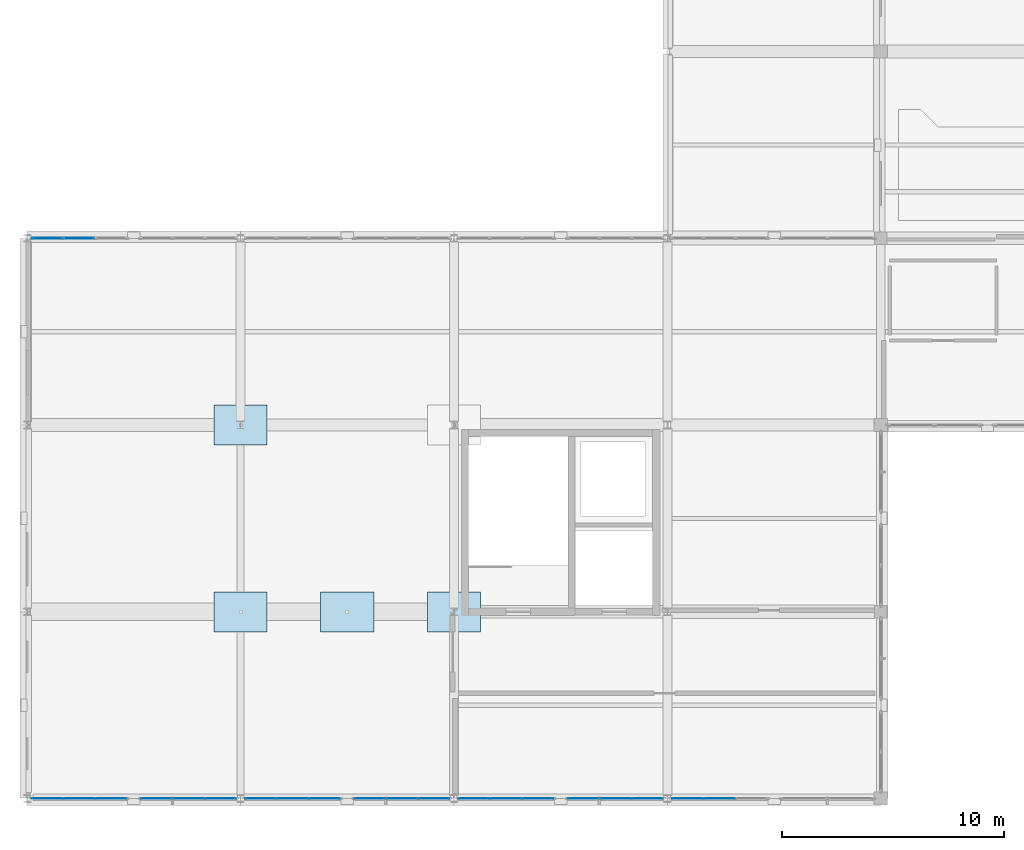
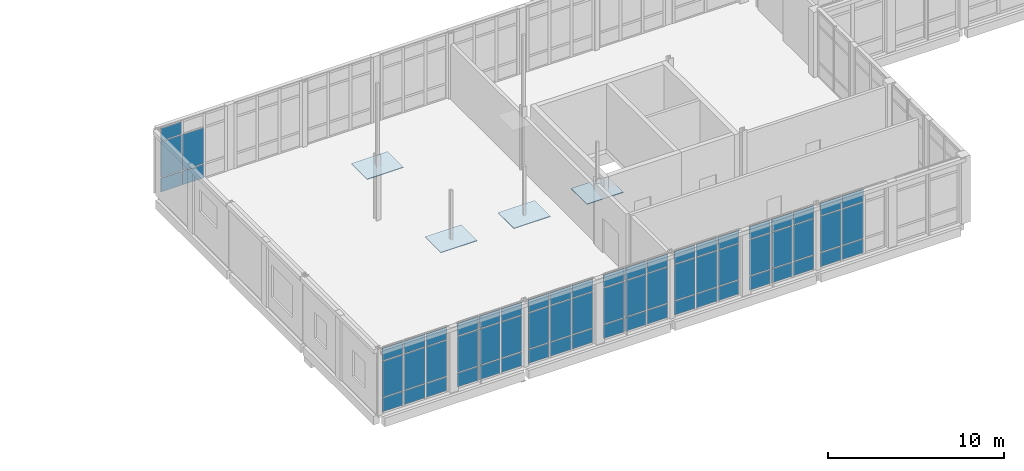
# One storey, part 61 of 88: 69 plates, 8 elements without a shape of their own.
"""IFC4 building model written with IfcOpenShell, lengths in metres."""

from ifc_helpers import new_model, si_unit, direction, frame, origin, origin_2d, place, context, subcontext, project, spatial, rectangle, extrude, material, layer, layer_set, type_object, element, aggregate, save


model = new_model("IFC4")

# Units and contexts
model_context = context("Model", 3, precision=1e-05, world=origin(), true_north=direction((0.0, 1.0)))
body_context = subcontext(model_context, "Body", "Model", "MODEL_VIEW")
ifc_project = project(units=[si_unit("LENGTHUNIT", "METRE"), si_unit("AREAUNIT", "SQUARE_METRE"), si_unit("VOLUMEUNIT", "CUBIC_METRE"), si_unit("PLANEANGLEUNIT", "RADIAN"), si_unit("MASSUNIT", "GRAM", prefix="KILO")], contexts=[model_context])

# Site, building, storey
site_placement = place(None, origin())
site = spatial("IfcSite", under=ifc_project, at=site_placement, CompositionType="ELEMENT")
building_placement = place(site_placement, origin())
building = spatial("IfcBuilding", under=site, at=building_placement, Name="Lornevale Opera House", CompositionType="ELEMENT")
storey_placement = place(building_placement, frame((0.0, 0.0, 10.199951171875)))
storey = spatial("IfcBuildingStorey", under=building, at=storey_placement, Name="L03", CompositionType="ELEMENT", Elevation=10.199951171875)

# Curtain wall, plates
ifc_material_1 = material(Name="Anodized Oxide-Green Aluminium Framing", Category="aluminium")
ifc_layer_1 = layer(ifc_material_1, 0.175048828125)
ifc_layer_set_1 = layer_set([ifc_layer_1], Name="Anodized Oxide-Green Aluminium Framing")
curtain_wall_type = type_object("IfcCurtainWallType", Name="Chamber Cloister Curtain Wall M1700", PredefinedType="NOTDEFINED", material=ifc_layer_set_1)
curtain_wall_1_placement = place(storey_placement, origin())
curtain_wall_1 = element("IfcCurtainWall", 1, at=curtain_wall_1_placement, inside=storey, type_object=curtain_wall_type, Name="Chamber Cloister Curtain Wall M1700 CW-092", PredefinedType="NOTDEFINED")
ifc_material_2 = material(Name="Triple Low-E Insulated Glazing", Category="glass")
ifc_layer_2 = layer(ifc_material_2, 0.0419921875)
ifc_layer_set_2 = layer_set([ifc_layer_2], Name="Triple Low-E Insulated Glazing")
plate_type_1 = type_object("IfcPlateType", Name="Ceramic Fritted Bird-Safe Panel 42", PredefinedType="CURTAIN_PANEL", material=ifc_layer_set_2)
plate_1_placement = place(storey_placement, frame((8.705078125, 0.0, 0.06494140625), z_axis=(0.0, 0.0, 1.0), x_axis=(-1.0, 0.0, 0.0)))
plate_1 = element("IfcPlate", 2, at=plate_1_placement, type_object=plate_type_1, Name="Ceramic Fritted Bird-Safe Panel 42 CW1828", PredefinedType="CURTAIN_PANEL", context=body_context, shape_type="SweptSolid", body=[
    extrude(rectangle(XDim=1.35888671875, YDim=0.0419921875, at=origin_2d()), origin(), (0.0, 0.0, 1.0), 0.952392578125),
])
plate_2_placement = place(storey_placement, frame((8.705078125, 0.0, 1.08251953125), z_axis=(0.0, 0.0, 1.0), x_axis=(-1.0, 0.0, 0.0)))
plate_2 = element("IfcPlate", 3, at=plate_2_placement, type_object=plate_type_1, Name="Ceramic Fritted Bird-Safe Panel 42 CW1829", PredefinedType="CURTAIN_PANEL", context=body_context, shape_type="SweptSolid", body=[
    extrude(rectangle(XDim=1.35888671875, YDim=0.0419921875, at=origin_2d()), origin(), (0.0, 0.0, 1.0), 2.47509765625),
])
plate_3_placement = place(storey_placement, frame((8.705078125, 0.0, 3.62255859375), z_axis=(0.0, 0.0, 1.0), x_axis=(-1.0, 0.0, 0.0)))
plate_3 = element("IfcPlate", 4, at=plate_3_placement, type_object=plate_type_1, Name="Ceramic Fritted Bird-Safe Panel 42 CW1830", PredefinedType="CURTAIN_PANEL", context=body_context, shape_type="SweptSolid", body=[
    extrude(rectangle(XDim=1.35888671875, YDim=0.0419921875, at=origin_2d()), origin(), (0.0, 0.0, 1.0), 0.8525390625),
])
plate_4_placement = place(storey_placement, frame((7.264892578125, 0.0, 0.06494140625), z_axis=(0.0, 0.0, 1.0), x_axis=(-1.0, 0.0, 0.0)))
plate_4 = element("IfcPlate", 5, at=plate_4_placement, type_object=plate_type_1, Name="Ceramic Fritted Bird-Safe Panel 42 CW1835", PredefinedType="CURTAIN_PANEL", context=body_context, shape_type="SweptSolid", body=[
    extrude(rectangle(XDim=1.3916015625, YDim=0.0419921875, at=origin_2d()), origin(), (0.0, 0.0, 1.0), 0.952392578125),
])
plate_5_placement = place(storey_placement, frame((7.264892578125, 0.0, 1.08251953125), z_axis=(0.0, 0.0, 1.0), x_axis=(-1.0, 0.0, 0.0)))
plate_5 = element("IfcPlate", 6, at=plate_5_placement, type_object=plate_type_1, Name="Ceramic Fritted Bird-Safe Panel 42 CW1836", PredefinedType="CURTAIN_PANEL", context=body_context, shape_type="SweptSolid", body=[
    extrude(rectangle(XDim=1.3916015625, YDim=0.0419921875, at=origin_2d()), origin(), (0.0, 0.0, 1.0), 2.47509765625),
])
plate_6_placement = place(storey_placement, frame((7.264892578125, 0.0, 3.62255859375), z_axis=(0.0, 0.0, 1.0), x_axis=(-1.0, 0.0, 0.0)))
plate_6 = element("IfcPlate", 7, at=plate_6_placement, type_object=plate_type_1, Name="Ceramic Fritted Bird-Safe Panel 42 CW1837", PredefinedType="CURTAIN_PANEL", context=body_context, shape_type="SweptSolid", body=[
    extrude(rectangle(XDim=1.3916015625, YDim=0.0419921875, at=origin_2d()), origin(), (0.0, 0.0, 1.0), 0.8525390625),
])
plate_7_placement = place(storey_placement, frame((5.824462890625, 0.0, 0.06494140625), z_axis=(0.0, 0.0, 1.0), x_axis=(-1.0, 0.0, 0.0)))
plate_7 = element("IfcPlate", 8, at=plate_7_placement, type_object=plate_type_1, Name="Ceramic Fritted Bird-Safe Panel 42 CW1842", PredefinedType="CURTAIN_PANEL", context=body_context, shape_type="SweptSolid", body=[
    extrude(rectangle(XDim=1.35888671875, YDim=0.0419921875, at=origin_2d()), origin(), (0.0, 0.0, 1.0), 0.952392578125),
])
plate_8_placement = place(storey_placement, frame((5.824462890625, 0.0, 1.08251953125), z_axis=(0.0, 0.0, 1.0), x_axis=(-1.0, 0.0, 0.0)))
plate_8 = element("IfcPlate", 9, at=plate_8_placement, type_object=plate_type_1, Name="Ceramic Fritted Bird-Safe Panel 42 CW1843", PredefinedType="CURTAIN_PANEL", context=body_context, shape_type="SweptSolid", body=[
    extrude(rectangle(XDim=1.35888671875, YDim=0.0419921875, at=origin_2d()), origin(), (0.0, 0.0, 1.0), 2.47509765625),
])
plate_9_placement = place(storey_placement, frame((5.824462890625, 0.0, 3.62255859375), z_axis=(0.0, 0.0, 1.0), x_axis=(-1.0, 0.0, 0.0)))
plate_9 = element("IfcPlate", 10, at=plate_9_placement, type_object=plate_type_1, Name="Ceramic Fritted Bird-Safe Panel 42 CW1844", PredefinedType="CURTAIN_PANEL", context=body_context, shape_type="SweptSolid", body=[
    extrude(rectangle(XDim=1.35888671875, YDim=0.0419921875, at=origin_2d()), origin(), (0.0, 0.0, 1.0), 0.8525390625),
])
aggregate(curtain_wall_1, [plate_1, plate_2, plate_3, plate_4, plate_5, plate_6, plate_7, plate_8, plate_9])

curtain_wall_2_placement = place(storey_placement, origin())
curtain_wall_2 = element("IfcCurtainWall", 11, at=curtain_wall_2_placement, inside=storey, type_object=curtain_wall_type, Name="Chamber Cloister Curtain Wall M1700 CW-093", PredefinedType="NOTDEFINED")
plate_10_placement = place(storey_placement, frame((3.775390625, 0.0, 0.06494140625), z_axis=(0.0, 0.0, 1.0), x_axis=(-1.0, 0.0, 0.0)))
plate_10 = element("IfcPlate", 12, at=plate_10_placement, type_object=plate_type_1, Name="Ceramic Fritted Bird-Safe Panel 42 CW1853", PredefinedType="CURTAIN_PANEL", context=body_context, shape_type="SweptSolid", body=[
    extrude(rectangle(XDim=1.35888671875, YDim=0.0419921875, at=origin_2d()), origin(), (0.0, 0.0, 1.0), 0.952392578125),
])
plate_11_placement = place(storey_placement, frame((3.775390625, 0.0, 1.08251953125), z_axis=(0.0, 0.0, 1.0), x_axis=(-1.0, 0.0, 0.0)))
plate_11 = element("IfcPlate", 13, at=plate_11_placement, type_object=plate_type_1, Name="Ceramic Fritted Bird-Safe Panel 42 CW1854", PredefinedType="CURTAIN_PANEL", context=body_context, shape_type="SweptSolid", body=[
    extrude(rectangle(XDim=1.35888671875, YDim=0.0419921875, at=origin_2d()), origin(), (0.0, 0.0, 1.0), 2.47509765625),
])
plate_12_placement = place(storey_placement, frame((3.775390625, 0.0, 3.62255859375), z_axis=(0.0, 0.0, 1.0), x_axis=(-1.0, 0.0, 0.0)))
plate_12 = element("IfcPlate", 14, at=plate_12_placement, type_object=plate_type_1, Name="Ceramic Fritted Bird-Safe Panel 42 CW1855", PredefinedType="CURTAIN_PANEL", context=body_context, shape_type="SweptSolid", body=[
    extrude(rectangle(XDim=1.35888671875, YDim=0.0419921875, at=origin_2d()), origin(), (0.0, 0.0, 1.0), 0.8525390625),
])
plate_13_placement = place(storey_placement, frame((2.335205078125, 0.0, 0.06494140625), z_axis=(0.0, 0.0, 1.0), x_axis=(-1.0, 0.0, 0.0)))
plate_13 = element("IfcPlate", 15, at=plate_13_placement, type_object=plate_type_1, Name="Ceramic Fritted Bird-Safe Panel 42 CW1860", PredefinedType="CURTAIN_PANEL", context=body_context, shape_type="SweptSolid", body=[
    extrude(rectangle(XDim=1.3916015625, YDim=0.0419921875, at=origin_2d()), origin(), (0.0, 0.0, 1.0), 0.952392578125),
])
plate_14_placement = place(storey_placement, frame((2.335205078125, 0.0, 1.08251953125), z_axis=(0.0, 0.0, 1.0), x_axis=(-1.0, 0.0, 0.0)))
plate_14 = element("IfcPlate", 16, at=plate_14_placement, type_object=plate_type_1, Name="Ceramic Fritted Bird-Safe Panel 42 CW1861", PredefinedType="CURTAIN_PANEL", context=body_context, shape_type="SweptSolid", body=[
    extrude(rectangle(XDim=1.3916015625, YDim=0.0419921875, at=origin_2d()), origin(), (0.0, 0.0, 1.0), 2.47509765625),
])
plate_15_placement = place(storey_placement, frame((2.335205078125, 0.0, 3.62255859375), z_axis=(0.0, 0.0, 1.0), x_axis=(-1.0, 0.0, 0.0)))
plate_15 = element("IfcPlate", 17, at=plate_15_placement, type_object=plate_type_1, Name="Ceramic Fritted Bird-Safe Panel 42 CW1862", PredefinedType="CURTAIN_PANEL", context=body_context, shape_type="SweptSolid", body=[
    extrude(rectangle(XDim=1.3916015625, YDim=0.0419921875, at=origin_2d()), origin(), (0.0, 0.0, 1.0), 0.8525390625),
])
plate_16_placement = place(storey_placement, frame((0.89501953125, 0.0, 0.06494140625), z_axis=(0.0, 0.0, 1.0), x_axis=(-1.0, 0.0, 0.0)))
plate_16 = element("IfcPlate", 18, at=plate_16_placement, type_object=plate_type_1, Name="Ceramic Fritted Bird-Safe Panel 42 CW1867", PredefinedType="CURTAIN_PANEL", context=body_context, shape_type="SweptSolid", body=[
    extrude(rectangle(XDim=1.35888671875, YDim=0.0419921875, at=origin_2d()), origin(), (0.0, 0.0, 1.0), 0.952392578125),
])
plate_17_placement = place(storey_placement, frame((0.89501953125, 0.0, 1.08251953125), z_axis=(0.0, 0.0, 1.0), x_axis=(-1.0, 0.0, 0.0)))
plate_17 = element("IfcPlate", 19, at=plate_17_placement, type_object=plate_type_1, Name="Ceramic Fritted Bird-Safe Panel 42 CW1868", PredefinedType="CURTAIN_PANEL", context=body_context, shape_type="SweptSolid", body=[
    extrude(rectangle(XDim=1.35888671875, YDim=0.0419921875, at=origin_2d()), origin(), (0.0, 0.0, 1.0), 2.47509765625),
])
plate_18_placement = place(storey_placement, frame((0.89501953125, 0.0, 3.62255859375), z_axis=(0.0, 0.0, 1.0), x_axis=(-1.0, 0.0, 0.0)))
plate_18 = element("IfcPlate", 20, at=plate_18_placement, type_object=plate_type_1, Name="Ceramic Fritted Bird-Safe Panel 42 CW1869", PredefinedType="CURTAIN_PANEL", context=body_context, shape_type="SweptSolid", body=[
    extrude(rectangle(XDim=1.35888671875, YDim=0.0419921875, at=origin_2d()), origin(), (0.0, 0.0, 1.0), 0.8525390625),
])
aggregate(curtain_wall_2, [plate_10, plate_11, plate_12, plate_13, plate_14, plate_15, plate_16, plate_17, plate_18])

curtain_wall_3_placement = place(storey_placement, origin())
curtain_wall_3 = element("IfcCurtainWall", 21, at=curtain_wall_3_placement, inside=storey, type_object=curtain_wall_type, Name="Chamber Cloister Curtain Wall M1700 CW-094", PredefinedType="NOTDEFINED")
plate_19_placement = place(storey_placement, frame((0.89501953125, 25.199951171875, 0.06494140625), z_axis=(0.0, 0.0, 1.0), x_axis=(1.0, 0.0, 0.0)))
plate_19 = element("IfcPlate", 22, at=plate_19_placement, type_object=plate_type_1, Name="Ceramic Fritted Bird-Safe Panel 42 CW1878", PredefinedType="CURTAIN_PANEL", context=body_context, shape_type="SweptSolid", body=[
    extrude(rectangle(XDim=1.35888671875, YDim=0.0419921875, at=origin_2d()), origin(), (0.0, 0.0, 1.0), 0.952392578125),
])
plate_20_placement = place(storey_placement, frame((0.89501953125, 25.199951171875, 1.08251953125), z_axis=(0.0, 0.0, 1.0), x_axis=(1.0, 0.0, 0.0)))
plate_20 = element("IfcPlate", 23, at=plate_20_placement, type_object=plate_type_1, Name="Ceramic Fritted Bird-Safe Panel 42 CW1879", PredefinedType="CURTAIN_PANEL", context=body_context, shape_type="SweptSolid", body=[
    extrude(rectangle(XDim=1.35888671875, YDim=0.0419921875, at=origin_2d()), origin(), (0.0, 0.0, 1.0), 2.47509765625),
])
plate_21_placement = place(storey_placement, frame((0.89501953125, 25.199951171875, 3.62255859375), z_axis=(0.0, 0.0, 1.0), x_axis=(1.0, 0.0, 0.0)))
plate_21 = element("IfcPlate", 24, at=plate_21_placement, type_object=plate_type_1, Name="Ceramic Fritted Bird-Safe Panel 42 CW1880", PredefinedType="CURTAIN_PANEL", context=body_context, shape_type="SweptSolid", body=[
    extrude(rectangle(XDim=1.35888671875, YDim=0.0419921875, at=origin_2d()), origin(), (0.0, 0.0, 1.0), 0.8525390625),
])
plate_22_placement = place(storey_placement, frame((2.335205078125, 25.199951171875, 0.06494140625), z_axis=(0.0, 0.0, 1.0), x_axis=(1.0, 0.0, 0.0)))
plate_22 = element("IfcPlate", 25, at=plate_22_placement, type_object=plate_type_1, Name="Ceramic Fritted Bird-Safe Panel 42 CW1885", PredefinedType="CURTAIN_PANEL", context=body_context, shape_type="SweptSolid", body=[
    extrude(rectangle(XDim=1.3916015625, YDim=0.0419921875, at=origin_2d()), origin(), (0.0, 0.0, 1.0), 0.952392578125),
])
plate_23_placement = place(storey_placement, frame((2.335205078125, 25.199951171875, 1.08251953125), z_axis=(0.0, 0.0, 1.0), x_axis=(1.0, 0.0, 0.0)))
plate_23 = element("IfcPlate", 26, at=plate_23_placement, type_object=plate_type_1, Name="Ceramic Fritted Bird-Safe Panel 42 CW1886", PredefinedType="CURTAIN_PANEL", context=body_context, shape_type="SweptSolid", body=[
    extrude(rectangle(XDim=1.3916015625, YDim=0.0419921875, at=origin_2d()), origin(), (0.0, 0.0, 1.0), 2.47509765625),
])
aggregate(curtain_wall_3, [plate_19, plate_20, plate_21, plate_22, plate_23])

curtain_wall_4_placement = place(storey_placement, origin())
curtain_wall_4 = element("IfcCurtainWall", 27, at=curtain_wall_4_placement, inside=storey, type_object=curtain_wall_type, Name="Chamber Cloister Curtain Wall M1700 CW-100", PredefinedType="NOTDEFINED")
plate_24_placement = place(storey_placement, frame((18.304931640625, 0.0, 0.06494140625), z_axis=(0.0, 0.0, 1.0), x_axis=(-1.0, 0.0, 0.0)))
plate_24 = element("IfcPlate", 28, at=plate_24_placement, type_object=plate_type_1, Name="Ceramic Fritted Bird-Safe Panel 42 CW2028", PredefinedType="CURTAIN_PANEL", context=body_context, shape_type="SweptSolid", body=[
    extrude(rectangle(XDim=1.35888671875, YDim=0.0419921875, at=origin_2d()), origin(), (0.0, 0.0, 1.0), 0.952392578125),
])
plate_25_placement = place(storey_placement, frame((18.304931640625, 0.0, 1.08251953125), z_axis=(0.0, 0.0, 1.0), x_axis=(-1.0, 0.0, 0.0)))
plate_25 = element("IfcPlate", 29, at=plate_25_placement, type_object=plate_type_1, Name="Ceramic Fritted Bird-Safe Panel 42 CW2029", PredefinedType="CURTAIN_PANEL", context=body_context, shape_type="SweptSolid", body=[
    extrude(rectangle(XDim=1.35888671875, YDim=0.0419921875, at=origin_2d()), origin(), (0.0, 0.0, 1.0), 2.47509765625),
])
plate_26_placement = place(storey_placement, frame((18.304931640625, 0.0, 3.62255859375), z_axis=(0.0, 0.0, 1.0), x_axis=(-1.0, 0.0, 0.0)))
plate_26 = element("IfcPlate", 30, at=plate_26_placement, type_object=plate_type_1, Name="Ceramic Fritted Bird-Safe Panel 42 CW2030", PredefinedType="CURTAIN_PANEL", context=body_context, shape_type="SweptSolid", body=[
    extrude(rectangle(XDim=1.35888671875, YDim=0.0419921875, at=origin_2d()), origin(), (0.0, 0.0, 1.0), 0.8525390625),
])
plate_27_placement = place(storey_placement, frame((16.86474609375, 0.0, 0.06494140625), z_axis=(0.0, 0.0, 1.0), x_axis=(-1.0, 0.0, 0.0)))
plate_27 = element("IfcPlate", 31, at=plate_27_placement, type_object=plate_type_1, Name="Ceramic Fritted Bird-Safe Panel 42 CW2035", PredefinedType="CURTAIN_PANEL", context=body_context, shape_type="SweptSolid", body=[
    extrude(rectangle(XDim=1.3916015625, YDim=0.0419921875, at=origin_2d()), origin(), (0.0, 0.0, 1.0), 0.952392578125),
])
plate_28_placement = place(storey_placement, frame((16.86474609375, 0.0, 1.08251953125), z_axis=(0.0, 0.0, 1.0), x_axis=(-1.0, 0.0, 0.0)))
plate_28 = element("IfcPlate", 32, at=plate_28_placement, type_object=plate_type_1, Name="Ceramic Fritted Bird-Safe Panel 42 CW2036", PredefinedType="CURTAIN_PANEL", context=body_context, shape_type="SweptSolid", body=[
    extrude(rectangle(XDim=1.3916015625, YDim=0.0419921875, at=origin_2d()), origin(), (0.0, 0.0, 1.0), 2.47509765625),
])
plate_29_placement = place(storey_placement, frame((16.86474609375, 0.0, 3.62255859375), z_axis=(0.0, 0.0, 1.0), x_axis=(-1.0, 0.0, 0.0)))
plate_29 = element("IfcPlate", 33, at=plate_29_placement, type_object=plate_type_1, Name="Ceramic Fritted Bird-Safe Panel 42 CW2037", PredefinedType="CURTAIN_PANEL", context=body_context, shape_type="SweptSolid", body=[
    extrude(rectangle(XDim=1.3916015625, YDim=0.0419921875, at=origin_2d()), origin(), (0.0, 0.0, 1.0), 0.8525390625),
])
plate_30_placement = place(storey_placement, frame((15.424560546875, 0.0, 0.06494140625), z_axis=(0.0, 0.0, 1.0), x_axis=(-1.0, 0.0, 0.0)))
plate_30 = element("IfcPlate", 34, at=plate_30_placement, type_object=plate_type_1, Name="Ceramic Fritted Bird-Safe Panel 42 CW2042", PredefinedType="CURTAIN_PANEL", context=body_context, shape_type="SweptSolid", body=[
    extrude(rectangle(XDim=1.35888671875, YDim=0.0419921875, at=origin_2d()), origin(), (0.0, 0.0, 1.0), 0.952392578125),
])
plate_31_placement = place(storey_placement, frame((15.424560546875, 0.0, 1.08251953125), z_axis=(0.0, 0.0, 1.0), x_axis=(-1.0, 0.0, 0.0)))
plate_31 = element("IfcPlate", 35, at=plate_31_placement, type_object=plate_type_1, Name="Ceramic Fritted Bird-Safe Panel 42 CW2043", PredefinedType="CURTAIN_PANEL", context=body_context, shape_type="SweptSolid", body=[
    extrude(rectangle(XDim=1.35888671875, YDim=0.0419921875, at=origin_2d()), origin(), (0.0, 0.0, 1.0), 2.47509765625),
])
plate_32_placement = place(storey_placement, frame((15.424560546875, 0.0, 3.62255859375), z_axis=(0.0, 0.0, 1.0), x_axis=(-1.0, 0.0, 0.0)))
plate_32 = element("IfcPlate", 36, at=plate_32_placement, type_object=plate_type_1, Name="Ceramic Fritted Bird-Safe Panel 42 CW2044", PredefinedType="CURTAIN_PANEL", context=body_context, shape_type="SweptSolid", body=[
    extrude(rectangle(XDim=1.35888671875, YDim=0.0419921875, at=origin_2d()), origin(), (0.0, 0.0, 1.0), 0.8525390625),
])
aggregate(curtain_wall_4, [plate_24, plate_25, plate_26, plate_27, plate_28, plate_29, plate_30, plate_31, plate_32])

curtain_wall_5_placement = place(storey_placement, origin())
curtain_wall_5 = element("IfcCurtainWall", 37, at=curtain_wall_5_placement, inside=storey, type_object=curtain_wall_type, Name="Chamber Cloister Curtain Wall M1700 CW-101", PredefinedType="NOTDEFINED")
plate_33_placement = place(storey_placement, frame((13.37548828125, 0.0, 0.06494140625), z_axis=(0.0, 0.0, 1.0), x_axis=(-1.0, 0.0, 0.0)))
plate_33 = element("IfcPlate", 38, at=plate_33_placement, type_object=plate_type_1, Name="Ceramic Fritted Bird-Safe Panel 42 CW2053", PredefinedType="CURTAIN_PANEL", context=body_context, shape_type="SweptSolid", body=[
    extrude(rectangle(XDim=1.35888671875, YDim=0.0419921875, at=origin_2d()), origin(), (0.0, 0.0, 1.0), 0.952392578125),
])
plate_34_placement = place(storey_placement, frame((13.37548828125, 0.0, 1.08251953125), z_axis=(0.0, 0.0, 1.0), x_axis=(-1.0, 0.0, 0.0)))
plate_34 = element("IfcPlate", 39, at=plate_34_placement, type_object=plate_type_1, Name="Ceramic Fritted Bird-Safe Panel 42 CW2054", PredefinedType="CURTAIN_PANEL", context=body_context, shape_type="SweptSolid", body=[
    extrude(rectangle(XDim=1.35888671875, YDim=0.0419921875, at=origin_2d()), origin(), (0.0, 0.0, 1.0), 2.47509765625),
])
plate_35_placement = place(storey_placement, frame((13.37548828125, 0.0, 3.62255859375), z_axis=(0.0, 0.0, 1.0), x_axis=(-1.0, 0.0, 0.0)))
plate_35 = element("IfcPlate", 40, at=plate_35_placement, type_object=plate_type_1, Name="Ceramic Fritted Bird-Safe Panel 42 CW2055", PredefinedType="CURTAIN_PANEL", context=body_context, shape_type="SweptSolid", body=[
    extrude(rectangle(XDim=1.35888671875, YDim=0.0419921875, at=origin_2d()), origin(), (0.0, 0.0, 1.0), 0.8525390625),
])
plate_36_placement = place(storey_placement, frame((11.935302734375, 0.0, 0.06494140625), z_axis=(0.0, 0.0, 1.0), x_axis=(-1.0, 0.0, 0.0)))
plate_36 = element("IfcPlate", 41, at=plate_36_placement, type_object=plate_type_1, Name="Ceramic Fritted Bird-Safe Panel 42 CW2060", PredefinedType="CURTAIN_PANEL", context=body_context, shape_type="SweptSolid", body=[
    extrude(rectangle(XDim=1.3916015625, YDim=0.0419921875, at=origin_2d()), origin(), (0.0, 0.0, 1.0), 0.952392578125),
])
plate_37_placement = place(storey_placement, frame((11.935302734375, 0.0, 1.08251953125), z_axis=(0.0, 0.0, 1.0), x_axis=(-1.0, 0.0, 0.0)))
plate_37 = element("IfcPlate", 42, at=plate_37_placement, type_object=plate_type_1, Name="Ceramic Fritted Bird-Safe Panel 42 CW2061", PredefinedType="CURTAIN_PANEL", context=body_context, shape_type="SweptSolid", body=[
    extrude(rectangle(XDim=1.3916015625, YDim=0.0419921875, at=origin_2d()), origin(), (0.0, 0.0, 1.0), 2.47509765625),
])
plate_38_placement = place(storey_placement, frame((11.935302734375, 0.0, 3.62255859375), z_axis=(0.0, 0.0, 1.0), x_axis=(-1.0, 0.0, 0.0)))
plate_38 = element("IfcPlate", 43, at=plate_38_placement, type_object=plate_type_1, Name="Ceramic Fritted Bird-Safe Panel 42 CW2062", PredefinedType="CURTAIN_PANEL", context=body_context, shape_type="SweptSolid", body=[
    extrude(rectangle(XDim=1.3916015625, YDim=0.0419921875, at=origin_2d()), origin(), (0.0, 0.0, 1.0), 0.8525390625),
])
plate_39_placement = place(storey_placement, frame((10.4951171875, 0.0, 0.06494140625), z_axis=(0.0, 0.0, 1.0), x_axis=(-1.0, 0.0, 0.0)))
plate_39 = element("IfcPlate", 44, at=plate_39_placement, type_object=plate_type_1, Name="Ceramic Fritted Bird-Safe Panel 42 CW2067", PredefinedType="CURTAIN_PANEL", context=body_context, shape_type="SweptSolid", body=[
    extrude(rectangle(XDim=1.35888671875, YDim=0.0419921875, at=origin_2d()), origin(), (0.0, 0.0, 1.0), 0.952392578125),
])
plate_40_placement = place(storey_placement, frame((10.4951171875, 0.0, 1.08251953125), z_axis=(0.0, 0.0, 1.0), x_axis=(-1.0, 0.0, 0.0)))
plate_40 = element("IfcPlate", 45, at=plate_40_placement, type_object=plate_type_1, Name="Ceramic Fritted Bird-Safe Panel 42 CW2068", PredefinedType="CURTAIN_PANEL", context=body_context, shape_type="SweptSolid", body=[
    extrude(rectangle(XDim=1.35888671875, YDim=0.0419921875, at=origin_2d()), origin(), (0.0, 0.0, 1.0), 2.47509765625),
])
plate_41_placement = place(storey_placement, frame((10.4951171875, 0.0, 3.62255859375), z_axis=(0.0, 0.0, 1.0), x_axis=(-1.0, 0.0, 0.0)))
plate_41 = element("IfcPlate", 46, at=plate_41_placement, type_object=plate_type_1, Name="Ceramic Fritted Bird-Safe Panel 42 CW2069", PredefinedType="CURTAIN_PANEL", context=body_context, shape_type="SweptSolid", body=[
    extrude(rectangle(XDim=1.35888671875, YDim=0.0419921875, at=origin_2d()), origin(), (0.0, 0.0, 1.0), 0.8525390625),
])
aggregate(curtain_wall_5, [plate_33, plate_34, plate_35, plate_36, plate_37, plate_38, plate_39, plate_40, plate_41])

curtain_wall_6_placement = place(storey_placement, origin())
curtain_wall_6 = element("IfcCurtainWall", 47, at=curtain_wall_6_placement, inside=storey, type_object=curtain_wall_type, Name="Chamber Cloister Curtain Wall M1700 CW-108", PredefinedType="NOTDEFINED")
plate_42_placement = place(storey_placement, frame((27.905029296875, 0.0, 0.06494140625), z_axis=(0.0, 0.0, 1.0), x_axis=(-1.0, 0.0, 0.0)))
plate_42 = element("IfcPlate", 48, at=plate_42_placement, type_object=plate_type_1, Name="Ceramic Fritted Bird-Safe Panel 42 CW2228", PredefinedType="CURTAIN_PANEL", context=body_context, shape_type="SweptSolid", body=[
    extrude(rectangle(XDim=1.35888671875, YDim=0.0419921875, at=origin_2d()), origin(), (0.0, 0.0, 1.0), 0.952392578125),
])
plate_43_placement = place(storey_placement, frame((27.905029296875, 0.0, 1.08251953125), z_axis=(0.0, 0.0, 1.0), x_axis=(-1.0, 0.0, 0.0)))
plate_43 = element("IfcPlate", 49, at=plate_43_placement, type_object=plate_type_1, Name="Ceramic Fritted Bird-Safe Panel 42 CW2229", PredefinedType="CURTAIN_PANEL", context=body_context, shape_type="SweptSolid", body=[
    extrude(rectangle(XDim=1.35888671875, YDim=0.0419921875, at=origin_2d()), origin(), (0.0, 0.0, 1.0), 2.47509765625),
])
plate_44_placement = place(storey_placement, frame((27.905029296875, 0.0, 3.62255859375), z_axis=(0.0, 0.0, 1.0), x_axis=(-1.0, 0.0, 0.0)))
plate_44 = element("IfcPlate", 50, at=plate_44_placement, type_object=plate_type_1, Name="Ceramic Fritted Bird-Safe Panel 42 CW2230", PredefinedType="CURTAIN_PANEL", context=body_context, shape_type="SweptSolid", body=[
    extrude(rectangle(XDim=1.35888671875, YDim=0.0419921875, at=origin_2d()), origin(), (0.0, 0.0, 1.0), 0.8525390625),
])
plate_45_placement = place(storey_placement, frame((26.46484375, 0.0, 0.06494140625), z_axis=(0.0, 0.0, 1.0), x_axis=(-1.0, 0.0, 0.0)))
plate_45 = element("IfcPlate", 51, at=plate_45_placement, type_object=plate_type_1, Name="Ceramic Fritted Bird-Safe Panel 42 CW2235", PredefinedType="CURTAIN_PANEL", context=body_context, shape_type="SweptSolid", body=[
    extrude(rectangle(XDim=1.3916015625, YDim=0.0419921875, at=origin_2d()), origin(), (0.0, 0.0, 1.0), 0.952392578125),
])
plate_46_placement = place(storey_placement, frame((26.46484375, 0.0, 1.08251953125), z_axis=(0.0, 0.0, 1.0), x_axis=(-1.0, 0.0, 0.0)))
plate_46 = element("IfcPlate", 52, at=plate_46_placement, type_object=plate_type_1, Name="Ceramic Fritted Bird-Safe Panel 42 CW2236", PredefinedType="CURTAIN_PANEL", context=body_context, shape_type="SweptSolid", body=[
    extrude(rectangle(XDim=1.3916015625, YDim=0.0419921875, at=origin_2d()), origin(), (0.0, 0.0, 1.0), 2.47509765625),
])
plate_47_placement = place(storey_placement, frame((26.46484375, 0.0, 3.62255859375), z_axis=(0.0, 0.0, 1.0), x_axis=(-1.0, 0.0, 0.0)))
plate_47 = element("IfcPlate", 53, at=plate_47_placement, type_object=plate_type_1, Name="Ceramic Fritted Bird-Safe Panel 42 CW2237", PredefinedType="CURTAIN_PANEL", context=body_context, shape_type="SweptSolid", body=[
    extrude(rectangle(XDim=1.3916015625, YDim=0.0419921875, at=origin_2d()), origin(), (0.0, 0.0, 1.0), 0.8525390625),
])
plate_48_placement = place(storey_placement, frame((25.0244140625, 0.0, 0.06494140625), z_axis=(0.0, 0.0, 1.0), x_axis=(-1.0, 0.0, 0.0)))
plate_48 = element("IfcPlate", 54, at=plate_48_placement, type_object=plate_type_1, Name="Ceramic Fritted Bird-Safe Panel 42 CW2242", PredefinedType="CURTAIN_PANEL", context=body_context, shape_type="SweptSolid", body=[
    extrude(rectangle(XDim=1.35888671875, YDim=0.0419921875, at=origin_2d()), origin(), (0.0, 0.0, 1.0), 0.952392578125),
])
plate_49_placement = place(storey_placement, frame((25.0244140625, 0.0, 1.08251953125), z_axis=(0.0, 0.0, 1.0), x_axis=(-1.0, 0.0, 0.0)))
plate_49 = element("IfcPlate", 55, at=plate_49_placement, type_object=plate_type_1, Name="Ceramic Fritted Bird-Safe Panel 42 CW2243", PredefinedType="CURTAIN_PANEL", context=body_context, shape_type="SweptSolid", body=[
    extrude(rectangle(XDim=1.35888671875, YDim=0.0419921875, at=origin_2d()), origin(), (0.0, 0.0, 1.0), 2.47509765625),
])
plate_50_placement = place(storey_placement, frame((25.0244140625, 0.0, 3.62255859375), z_axis=(0.0, 0.0, 1.0), x_axis=(-1.0, 0.0, 0.0)))
plate_50 = element("IfcPlate", 56, at=plate_50_placement, type_object=plate_type_1, Name="Ceramic Fritted Bird-Safe Panel 42 CW2244", PredefinedType="CURTAIN_PANEL", context=body_context, shape_type="SweptSolid", body=[
    extrude(rectangle(XDim=1.35888671875, YDim=0.0419921875, at=origin_2d()), origin(), (0.0, 0.0, 1.0), 0.8525390625),
])
aggregate(curtain_wall_6, [plate_42, plate_43, plate_44, plate_45, plate_46, plate_47, plate_48, plate_49, plate_50])

curtain_wall_7_placement = place(storey_placement, origin())
curtain_wall_7 = element("IfcCurtainWall", 57, at=curtain_wall_7_placement, inside=storey, type_object=curtain_wall_type, Name="Chamber Cloister Curtain Wall M1700 CW-109", PredefinedType="NOTDEFINED")
plate_51_placement = place(storey_placement, frame((22.9755859375, 0.0, 0.06494140625), z_axis=(0.0, 0.0, 1.0), x_axis=(-1.0, 0.0, 0.0)))
plate_51 = element("IfcPlate", 58, at=plate_51_placement, type_object=plate_type_1, Name="Ceramic Fritted Bird-Safe Panel 42 CW2253", PredefinedType="CURTAIN_PANEL", context=body_context, shape_type="SweptSolid", body=[
    extrude(rectangle(XDim=1.35888671875, YDim=0.0419921875, at=origin_2d()), origin(), (0.0, 0.0, 1.0), 0.952392578125),
])
plate_52_placement = place(storey_placement, frame((22.9755859375, 0.0, 1.08251953125), z_axis=(0.0, 0.0, 1.0), x_axis=(-1.0, 0.0, 0.0)))
plate_52 = element("IfcPlate", 59, at=plate_52_placement, type_object=plate_type_1, Name="Ceramic Fritted Bird-Safe Panel 42 CW2254", PredefinedType="CURTAIN_PANEL", context=body_context, shape_type="SweptSolid", body=[
    extrude(rectangle(XDim=1.35888671875, YDim=0.0419921875, at=origin_2d()), origin(), (0.0, 0.0, 1.0), 2.47509765625),
])
plate_53_placement = place(storey_placement, frame((22.9755859375, 0.0, 3.62255859375), z_axis=(0.0, 0.0, 1.0), x_axis=(-1.0, 0.0, 0.0)))
plate_53 = element("IfcPlate", 60, at=plate_53_placement, type_object=plate_type_1, Name="Ceramic Fritted Bird-Safe Panel 42 CW2255", PredefinedType="CURTAIN_PANEL", context=body_context, shape_type="SweptSolid", body=[
    extrude(rectangle(XDim=1.35888671875, YDim=0.0419921875, at=origin_2d()), origin(), (0.0, 0.0, 1.0), 0.8525390625),
])
plate_54_placement = place(storey_placement, frame((21.53515625, 0.0, 0.06494140625), z_axis=(0.0, 0.0, 1.0), x_axis=(-1.0, 0.0, 0.0)))
plate_54 = element("IfcPlate", 61, at=plate_54_placement, type_object=plate_type_1, Name="Ceramic Fritted Bird-Safe Panel 42 CW2260", PredefinedType="CURTAIN_PANEL", context=body_context, shape_type="SweptSolid", body=[
    extrude(rectangle(XDim=1.3916015625, YDim=0.0419921875, at=origin_2d()), origin(), (0.0, 0.0, 1.0), 0.952392578125),
])
plate_55_placement = place(storey_placement, frame((21.53515625, 0.0, 1.08251953125), z_axis=(0.0, 0.0, 1.0), x_axis=(-1.0, 0.0, 0.0)))
plate_55 = element("IfcPlate", 62, at=plate_55_placement, type_object=plate_type_1, Name="Ceramic Fritted Bird-Safe Panel 42 CW2261", PredefinedType="CURTAIN_PANEL", context=body_context, shape_type="SweptSolid", body=[
    extrude(rectangle(XDim=1.3916015625, YDim=0.0419921875, at=origin_2d()), origin(), (0.0, 0.0, 1.0), 2.47509765625),
])
plate_56_placement = place(storey_placement, frame((21.53515625, 0.0, 3.62255859375), z_axis=(0.0, 0.0, 1.0), x_axis=(-1.0, 0.0, 0.0)))
plate_56 = element("IfcPlate", 63, at=plate_56_placement, type_object=plate_type_1, Name="Ceramic Fritted Bird-Safe Panel 42 CW2262", PredefinedType="CURTAIN_PANEL", context=body_context, shape_type="SweptSolid", body=[
    extrude(rectangle(XDim=1.3916015625, YDim=0.0419921875, at=origin_2d()), origin(), (0.0, 0.0, 1.0), 0.8525390625),
])
plate_57_placement = place(storey_placement, frame((20.094970703125, 0.0, 0.06494140625), z_axis=(0.0, 0.0, 1.0), x_axis=(-1.0, 0.0, 0.0)))
plate_57 = element("IfcPlate", 64, at=plate_57_placement, type_object=plate_type_1, Name="Ceramic Fritted Bird-Safe Panel 42 CW2267", PredefinedType="CURTAIN_PANEL", context=body_context, shape_type="SweptSolid", body=[
    extrude(rectangle(XDim=1.35888671875, YDim=0.0419921875, at=origin_2d()), origin(), (0.0, 0.0, 1.0), 0.952392578125),
])
plate_58_placement = place(storey_placement, frame((20.094970703125, 0.0, 1.08251953125), z_axis=(0.0, 0.0, 1.0), x_axis=(-1.0, 0.0, 0.0)))
plate_58 = element("IfcPlate", 65, at=plate_58_placement, type_object=plate_type_1, Name="Ceramic Fritted Bird-Safe Panel 42 CW2268", PredefinedType="CURTAIN_PANEL", context=body_context, shape_type="SweptSolid", body=[
    extrude(rectangle(XDim=1.35888671875, YDim=0.0419921875, at=origin_2d()), origin(), (0.0, 0.0, 1.0), 2.47509765625),
])
plate_59_placement = place(storey_placement, frame((20.094970703125, 0.0, 3.62255859375), z_axis=(0.0, 0.0, 1.0), x_axis=(-1.0, 0.0, 0.0)))
plate_59 = element("IfcPlate", 66, at=plate_59_placement, type_object=plate_type_1, Name="Ceramic Fritted Bird-Safe Panel 42 CW2269", PredefinedType="CURTAIN_PANEL", context=body_context, shape_type="SweptSolid", body=[
    extrude(rectangle(XDim=1.35888671875, YDim=0.0419921875, at=origin_2d()), origin(), (0.0, 0.0, 1.0), 0.8525390625),
])
aggregate(curtain_wall_7, [plate_51, plate_52, plate_53, plate_54, plate_55, plate_56, plate_57, plate_58, plate_59])

curtain_wall_8_placement = place(storey_placement, origin())
curtain_wall_8 = element("IfcCurtainWall", 67, at=curtain_wall_8_placement, inside=storey, type_object=curtain_wall_type, Name="Chamber Cloister Curtain Wall M1700 CW-117", PredefinedType="NOTDEFINED")
plate_60_placement = place(storey_placement, frame((31.13525390625, 0.0, 0.06494140625), z_axis=(0.0, 0.0, 1.0), x_axis=(-1.0, 0.0, 0.0)))
plate_60 = element("IfcPlate", 68, at=plate_60_placement, type_object=plate_type_1, Name="Ceramic Fritted Bird-Safe Panel 42 CW2452", PredefinedType="CURTAIN_PANEL", context=body_context, shape_type="SweptSolid", body=[
    extrude(rectangle(XDim=1.3916015625, YDim=0.0419921875, at=origin_2d()), origin(), (0.0, 0.0, 1.0), 0.952392578125),
])
plate_61_placement = place(storey_placement, frame((31.13525390625, 0.0, 1.08251953125), z_axis=(0.0, 0.0, 1.0), x_axis=(-1.0, 0.0, 0.0)))
plate_61 = element("IfcPlate", 69, at=plate_61_placement, type_object=plate_type_1, Name="Ceramic Fritted Bird-Safe Panel 42 CW2453", PredefinedType="CURTAIN_PANEL", context=body_context, shape_type="SweptSolid", body=[
    extrude(rectangle(XDim=1.3916015625, YDim=0.0419921875, at=origin_2d()), origin(), (0.0, 0.0, 1.0), 2.47509765625),
])
plate_62_placement = place(storey_placement, frame((31.13525390625, 0.0, 3.62255859375), z_axis=(0.0, 0.0, 1.0), x_axis=(-1.0, 0.0, 0.0)))
plate_62 = element("IfcPlate", 70, at=plate_62_placement, type_object=plate_type_1, Name="Ceramic Fritted Bird-Safe Panel 42 CW2454", PredefinedType="CURTAIN_PANEL", context=body_context, shape_type="SweptSolid", body=[
    extrude(rectangle(XDim=1.3916015625, YDim=0.0419921875, at=origin_2d()), origin(), (0.0, 0.0, 1.0), 0.8525390625),
])
plate_63_placement = place(storey_placement, frame((29.695068359375, 0.0, 0.06494140625), z_axis=(0.0, 0.0, 1.0), x_axis=(-1.0, 0.0, 0.0)))
plate_63 = element("IfcPlate", 71, at=plate_63_placement, type_object=plate_type_1, Name="Ceramic Fritted Bird-Safe Panel 42 CW2459", PredefinedType="CURTAIN_PANEL", context=body_context, shape_type="SweptSolid", body=[
    extrude(rectangle(XDim=1.35888671875, YDim=0.0419921875, at=origin_2d()), origin(), (0.0, 0.0, 1.0), 0.952392578125),
])
plate_64_placement = place(storey_placement, frame((29.695068359375, 0.0, 1.08251953125), z_axis=(0.0, 0.0, 1.0), x_axis=(-1.0, 0.0, 0.0)))
plate_64 = element("IfcPlate", 72, at=plate_64_placement, type_object=plate_type_1, Name="Ceramic Fritted Bird-Safe Panel 42 CW2460", PredefinedType="CURTAIN_PANEL", context=body_context, shape_type="SweptSolid", body=[
    extrude(rectangle(XDim=1.35888671875, YDim=0.0419921875, at=origin_2d()), origin(), (0.0, 0.0, 1.0), 2.47509765625),
])
plate_65_placement = place(storey_placement, frame((29.695068359375, 0.0, 3.62255859375), z_axis=(0.0, 0.0, 1.0), x_axis=(-1.0, 0.0, 0.0)))
plate_65 = element("IfcPlate", 73, at=plate_65_placement, type_object=plate_type_1, Name="Ceramic Fritted Bird-Safe Panel 42 CW2461", PredefinedType="CURTAIN_PANEL", context=body_context, shape_type="SweptSolid", body=[
    extrude(rectangle(XDim=1.35888671875, YDim=0.0419921875, at=origin_2d()), origin(), (0.0, 0.0, 1.0), 0.8525390625),
])
aggregate(curtain_wall_8, [plate_60, plate_61, plate_62, plate_63, plate_64, plate_65])

# Plates
ifc_material_3 = material(Name="White Oak Acoustic Panelling", Category="wood")
ifc_layer_3 = layer(ifc_material_3, 1.800048828125)
ifc_layer_set_3 = layer_set([ifc_layer_3], Name="White Oak Acoustic Panelling")
plate_type_2 = type_object("IfcPlateType", Name="Chamber Acoustic Reflector 2400x1800", PredefinedType="SHEET", material=ifc_layer_set_3)
for number, where, z_axis, x_axis, name in (
    (74, (9.60009765625, 8.39990234375, 3.6748046875), (0.0, 0.0, 1.0), (1.0, 0.0, 0.0), "Chamber Acoustic Reflector PT-0042"),
    (75, (19.199951171875, 8.39990234375, 3.6748046875), (0.0, 0.0, 1.0), (1.0, 0.0, 0.0), "Chamber Acoustic Reflector PT-0043"),
    (76, (9.60009765625, 16.800048828125, 3.6748046875), (0.0, 0.0, 1.0), (1.0, 0.0, 0.0), "Chamber Acoustic Reflector PT-0044"),
    (77, (14.39990234375, 8.39990234375, 3.6748046875), (0.0, 0.0, 1.0), (1.0, 0.0, 0.0), "Chamber Acoustic Reflector PT-0046"),
):
    element("IfcPlate", number, at=place(storey_placement, frame(where, z_axis=z_axis, x_axis=x_axis)), inside=storey, type_object=plate_type_2, Name=name, PredefinedType="SHEET", context=body_context, shape_type="SweptSolid", body=[
        extrude(rectangle(XDim=2.39990234375, YDim=1.800048828125, at=origin_2d()), origin(), (0.0, 0.0, 1.0), 0.050048828125),
    ])

save(model, "model.ifc")
